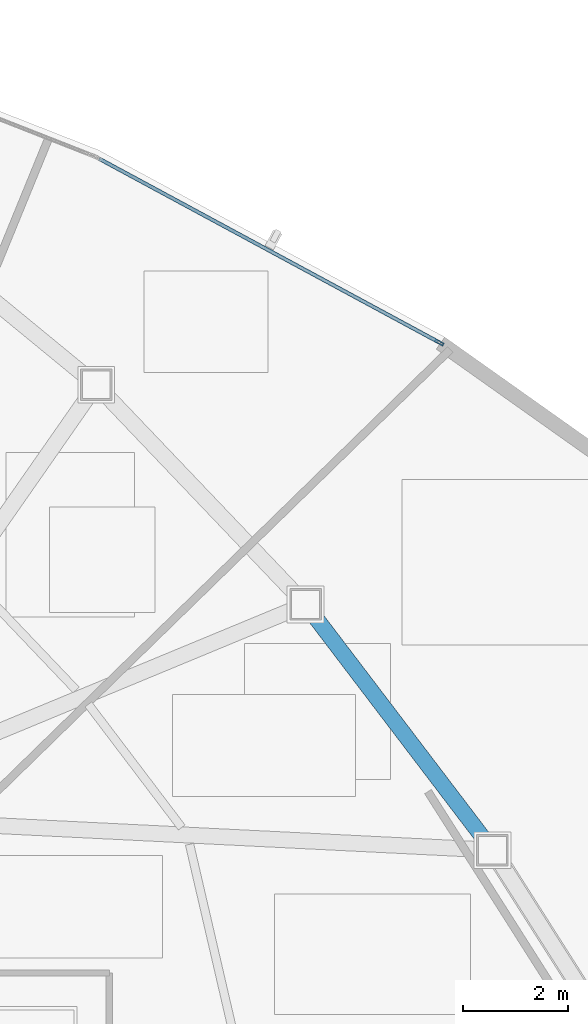
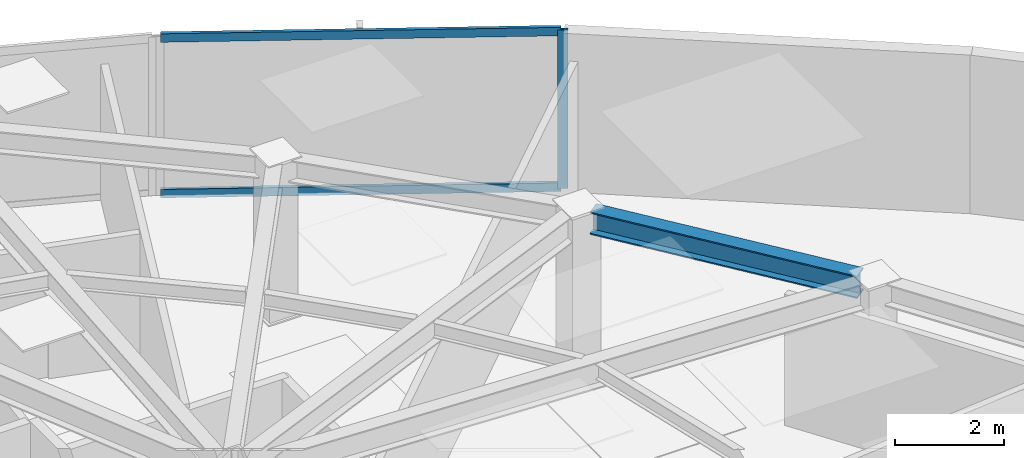
# One storey, part 10 of 18: 3 members, 1 beam, 1 element without a shape of its own.
"""IFC4 building model written with IfcOpenShell, lengths in metres."""

from ifc_helpers import new_model, si_unit, direction, frame, origin, origin_2d, place, context, subcontext, project, spatial, hollow_rectangle, i_section, extrude, source, transform, mapped, material, layer, layer_set, material_profile, profile_set, type_object, type_shapes, element, aggregate, save


model = new_model("IFC4")

# Units and contexts
model_context = context("Model", 3, precision=1e-05, world=origin(), true_north=direction((0.0, 1.0)))
body_context = subcontext(model_context, "Body", "Model", "MODEL_VIEW")
ifc_project = project(units=[si_unit("LENGTHUNIT", "METRE"), si_unit("AREAUNIT", "SQUARE_METRE"), si_unit("VOLUMEUNIT", "CUBIC_METRE"), si_unit("PLANEANGLEUNIT", "RADIAN"), si_unit("MASSUNIT", "GRAM", prefix="KILO")], contexts=[model_context])

# Site, building, storey
site_placement = place(None, origin())
site = spatial("IfcSite", under=ifc_project, at=site_placement, CompositionType="ELEMENT")
building_placement = place(site_placement, origin())
building = spatial("IfcBuilding", under=site, at=building_placement, Name="Tavelor Broadcast Tower", CompositionType="ELEMENT")
storey_placement = place(building_placement, frame((0.0, 0.0, 181.050048828125)))
storey = spatial("IfcBuildingStorey", under=building, at=storey_placement, Name="L43", CompositionType="ELEMENT", Elevation=181.050048828125)

# Beam
ifc_material_1 = material(Name="Steel S355", Category="steel")
ifc_material_profile_1 = material_profile(ifc_material_1, i_section(OverallWidth=0.300048828125, OverallDepth=0.5, WebThickness=0.014404296875, FlangeThickness=0.028076171875, at=origin_2d()), Name="HEB 500")
ifc_profile_set_1 = profile_set([ifc_material_profile_1], Name="Steel S355")
beam_type = type_object("IfcBeamType", Name="Perimeter Spandrel Beam T4 HEB 500", PredefinedType="SPANDREL", material=ifc_profile_set_1)
beam_placement = place(storey_placement, frame((69.711669921875, 50.7734375, 3.300048828125), z_axis=(-0.605502841959, 0.795843143075, 0.0), x_axis=(-0.795843143075, -0.605502841959, 0.0)))
element("IfcBeam", 1, at=beam_placement, inside=storey, type_object=beam_type, Name="L43 Framed-Tube Ring Spandrel 14", PredefinedType="SPANDREL", context=body_context, shape_type="SweptSolid", body=[
    extrude(i_section(OverallWidth=0.300048828125, OverallDepth=0.5, WebThickness=0.014404296875, FlangeThickness=0.028076171875, at=origin_2d()), origin(), (0.0, 0.0, 1.0), 5.310302734375),
])

# Curtain wall, members
ifc_material_2 = material(Name="Architectural Anodized Aluminium", Category="aluminium")
ifc_layer = layer(ifc_material_2, 0.18994140625)
ifc_layer_set = layer_set([ifc_layer], Name="Architectural Anodized Aluminium")
curtain_wall_type = type_object("IfcCurtainWallType", Name="Tower Mid-Zone Acoustic Curtain Wall CW03", PredefinedType="NOTDEFINED", material=ifc_layer_set)
curtain_wall_placement = place(storey_placement, origin())
curtain_wall = element("IfcCurtainWall", 2, at=curtain_wall_placement, inside=storey, type_object=curtain_wall_type, Name="L43 Curtain Wall CW03 Run 465", PredefinedType="NOTDEFINED")
ifc_material_profile_2 = material_profile(ifc_material_2, hollow_rectangle(XDim=0.068115234375, YDim=0.18994140625, WallThickness=0.02197265625, at=origin_2d()), Name="RHS 68x190x22")
ifc_profile_set_2 = profile_set([ifc_material_profile_2], Name="Architectural Anodized Aluminium")
member_type_1 = type_object("IfcMemberType", Name="CW03 Extruded Aluminium Mullion 68x190", PredefinedType="MULLION", material=ifc_profile_set_2)
shared_shape_1 = source(origin(), body_context, "Body", "SweptSolid", [
    extrude(hollow_rectangle(XDim=0.068115234375, YDim=0.18994140625, WallThickness=0.02197265625, at=origin_2d()), origin(), (0.0, 0.0, 1.0), 3.550048828125),
])
type_shapes(member_type_1, [shared_shape_1])
member_1_placement = place(storey_placement, frame((68.869873046875, 60.22607421875, 0.0), z_axis=(0.0, 0.0, 1.0), x_axis=(-0.475238225451, -0.879857164016, 0.0)))
member_1 = element("IfcMember", 3, at=member_1_placement, type_object=member_type_1, Name="CW03 mullion 1", PredefinedType="MULLION", context=body_context, shape_type="MappedRepresentation", body=[
    mapped(shared_shape_1, transform((0.0, 0.0, 0.0), scale=1.0)),
])
ifc_material_profile_3 = material_profile(ifc_material_2, hollow_rectangle(XDim=0.068115234375, YDim=0.18994140625, WallThickness=0.02197265625, at=origin_2d()), Name="RHS 68x190x22")
ifc_profile_set_3 = profile_set([ifc_material_profile_3], Name="Architectural Anodized Aluminium")
member_type_2 = type_object("IfcMemberType", Name="CW03 Extruded Aluminium Transom 68x190", PredefinedType="USERDEFINED", material=ifc_profile_set_3)
shared_shape_2 = source(origin(), body_context, "Body", "SweptSolid", [
    extrude(hollow_rectangle(XDim=0.068115234375, YDim=0.18994140625, WallThickness=0.02197265625, at=origin_2d()), origin(), (0.0, 0.0, 1.0), 7.33642578125),
])
type_shapes(member_type_2, [shared_shape_2])
member_2_placement = place(storey_placement, frame((68.840087890625, 60.2421875, 0.033935546875), z_axis=(-0.879858089519, 0.475236511968, 0.0), x_axis=(-0.475236511968, -0.879858089519, 0.0)))
member_2 = element("IfcMember", 4, at=member_2_placement, type_object=member_type_2, Name="CW03 transom 1.1", ObjectType="TRANSOM", PredefinedType="USERDEFINED", context=body_context, shape_type="MappedRepresentation", body=[
    mapped(shared_shape_2, transform((0.0, 0.0, 0.0), scale=1.0)),
])
member_3_placement = place(storey_placement, frame((68.840087890625, 60.2421875, 3.515869140625), z_axis=(-0.879858089519, 0.475236511968, 0.0), x_axis=(-0.475236511968, -0.879858089519, 0.0)))
member_3 = element("IfcMember", 5, at=member_3_placement, type_object=member_type_2, Name="CW03 transom 1.2", ObjectType="TRANSOM", PredefinedType="USERDEFINED", context=body_context, shape_type="MappedRepresentation", body=[
    mapped(shared_shape_2, transform((0.0, 0.0, 0.0), scale=1.0)),
])
aggregate(curtain_wall, [member_1, member_2, member_3])

save(model, "model.ifc")
